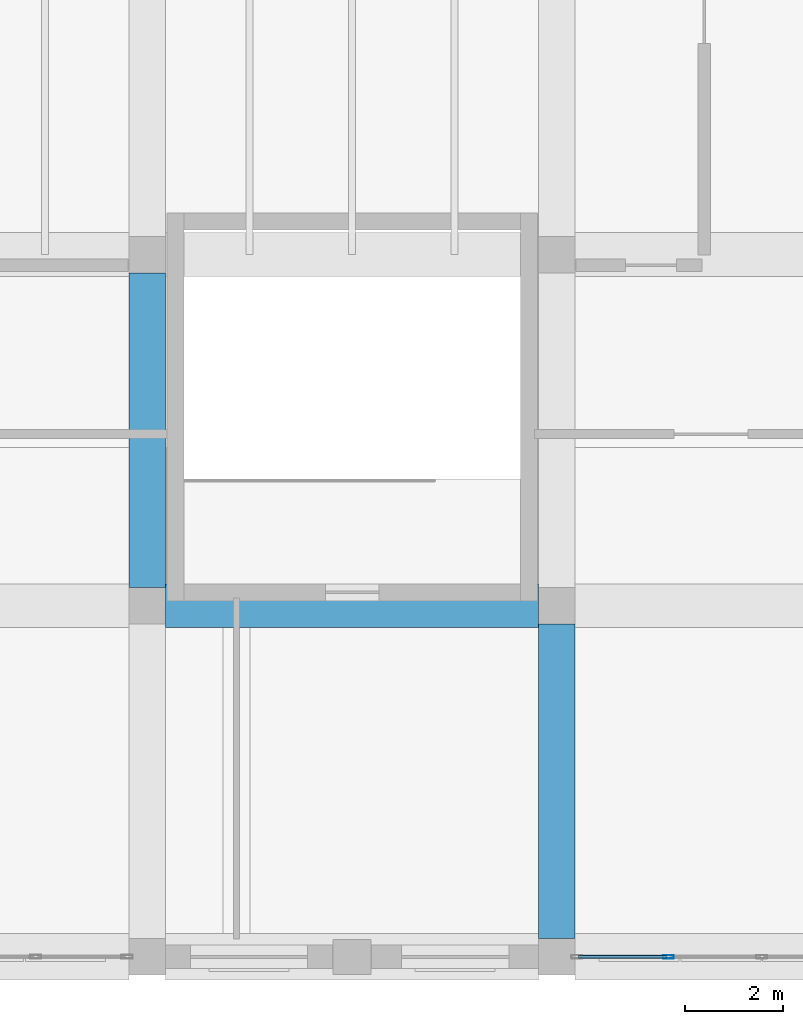
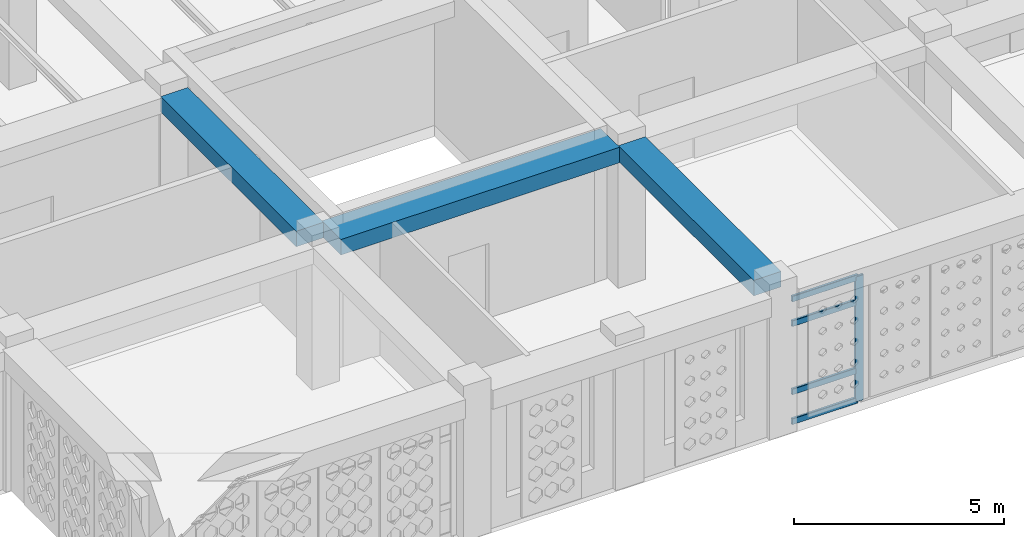
# One storey, part 22 of 111: 5 members, 3 beams, 1 element without a shape of its own.
"""IFC4 building model written with IfcOpenShell, lengths in metres."""

from ifc_helpers import new_model, si_unit, derived_unit, direction, frame, origin, origin_2d, place, context, subcontext, project, spatial, rectangle, hollow_rectangle, extrude, material, material_profile, profile_set, type_object, element, aggregate, save


model = new_model("IFC4")

# Units and contexts
model_context = context("Model", 3, precision=1e-05, world=origin(), true_north=direction((0.0, 1.0)))
body_context = subcontext(model_context, "Body", "Model", "MODEL_VIEW")
ifc_project = project(units=[si_unit("LENGTHUNIT", "METRE"), si_unit("AREAUNIT", "SQUARE_METRE"), si_unit("VOLUMEUNIT", "CUBIC_METRE"), si_unit("PLANEANGLEUNIT", "RADIAN"), si_unit("MASSUNIT", "GRAM", prefix="KILO"), derived_unit("THERMALTRANSMITTANCEUNIT", [(si_unit("POWERUNIT", "WATT"), 1), (si_unit("LENGTHUNIT", "METRE"), -2), (si_unit("THERMODYNAMICTEMPERATUREUNIT", "KELVIN"), -1)])], contexts=[model_context])

# Site, building, storey
site_placement = place(None, origin())
site = spatial("IfcSite", under=ifc_project, at=site_placement, CompositionType="ELEMENT")
building_placement = place(site_placement, origin())
building = spatial("IfcBuilding", under=site, at=building_placement, Name="Veybourne Emporium", CompositionType="ELEMENT")
storey_placement = place(building_placement, frame((0.0, 0.0, 9.89990234375)))
storey = spatial("IfcBuildingStorey", under=building, at=storey_placement, Name="L02", CompositionType="ELEMENT", Elevation=9.89990234375)

# Curtain wall, members
ifc_material_1 = material(Name="Patinated Architectural Bronze", Category="bronze")
curtain_wall_type = type_object("IfcCurtainWallType", Name="CWSystem_CWS-25", PredefinedType="NOTDEFINED", material=ifc_material_1)
curtain_wall_placement = place(storey_placement, origin())
curtain_wall = element("IfcCurtainWall", 1, at=curtain_wall_placement, inside=storey, type_object=curtain_wall_type, Name="L02 bronze glazed curtain wall CWS-25 (063)", PredefinedType="NOTDEFINED")
ifc_material_profile_1 = material_profile(ifc_material_1, hollow_rectangle(XDim=0.072021484375, YDim=0.22509765625, WallThickness=0.0048828125, InnerFilletRadius=0.007568359375, OuterFilletRadius=0.012451171875, at=origin_2d()), Name="CWM 72x225x5")
ifc_profile_set_1 = profile_set([ifc_material_profile_1], Name="Patinated Architectural Bronze")
member_type_1 = type_object("IfcMemberType", Name="CWMullion_CW-M1", PredefinedType="MULLION", material=ifc_profile_set_1)
member_1_placement = place(storey_placement, frame((111.487548828125, 0.0, 0.0), z_axis=(0.0, 0.0, 1.0), x_axis=(0.0, -1.0, 0.0)))
member_1 = element("IfcMember", 2, at=member_1_placement, type_object=member_type_1, Name="CWS-25 mullion 4", PredefinedType="MULLION", context=body_context, shape_type="SweptSolid", body=[
    extrude(hollow_rectangle(XDim=0.072021484375, YDim=0.22509765625, WallThickness=0.0048828125, InnerFilletRadius=0.007568359375, OuterFilletRadius=0.012451171875, at=origin_2d()), origin(), (0.0, 0.0, 1.0), 3.630126953125),
])
ifc_material_profile_2 = material_profile(ifc_material_1, hollow_rectangle(XDim=0.072021484375, YDim=0.175048828125, WallThickness=0.0048828125, InnerFilletRadius=0.007568359375, OuterFilletRadius=0.012451171875, at=origin_2d()), Name="CWT 72x175x5")
ifc_profile_set_2 = profile_set([ifc_material_profile_2], Name="Patinated Architectural Bronze")
member_type_2 = type_object("IfcMemberType", Name="CWTransom_CW-T1", PredefinedType="NOTDEFINED", material=ifc_profile_set_2)
member_2_placement = place(storey_placement, frame((111.451416015625, 0.0, 0.0361328125), z_axis=(-1.0, 0.0, 0.0), x_axis=(0.0, -1.0, 0.0)))
member_2 = element("IfcMember", 3, at=member_2_placement, type_object=member_type_2, Name="CWS-25 transom 4.1", ObjectType="TRANSOM", PredefinedType="USERDEFINED", context=body_context, shape_type="SweptSolid", body=[
    extrude(hollow_rectangle(XDim=0.072021484375, YDim=0.175048828125, WallThickness=0.0048828125, InnerFilletRadius=0.007568359375, OuterFilletRadius=0.012451171875, at=origin_2d()), origin(), (0.0, 0.0, 1.0), 1.804443359375),
])
member_3_placement = place(storey_placement, frame((111.451416015625, 0.0, 0.900146484375), z_axis=(-1.0, 0.0, 0.0), x_axis=(0.0, -1.0, 0.0)))
member_3 = element("IfcMember", 4, at=member_3_placement, type_object=member_type_2, Name="CWS-25 transom 4.2", ObjectType="TRANSOM", PredefinedType="USERDEFINED", context=body_context, shape_type="SweptSolid", body=[
    extrude(hollow_rectangle(XDim=0.072021484375, YDim=0.175048828125, WallThickness=0.0048828125, InnerFilletRadius=0.007568359375, OuterFilletRadius=0.012451171875, at=origin_2d()), origin(), (0.0, 0.0, 1.0), 1.804443359375),
])
member_4_placement = place(storey_placement, frame((111.451416015625, 0.0, 2.880126953125), z_axis=(-1.0, 0.0, 0.0), x_axis=(0.0, -1.0, 0.0)))
member_4 = element("IfcMember", 5, at=member_4_placement, type_object=member_type_2, Name="CWS-25 transom 4.3", ObjectType="TRANSOM", PredefinedType="USERDEFINED", context=body_context, shape_type="SweptSolid", body=[
    extrude(hollow_rectangle(XDim=0.072021484375, YDim=0.175048828125, WallThickness=0.0048828125, InnerFilletRadius=0.007568359375, OuterFilletRadius=0.012451171875, at=origin_2d()), origin(), (0.0, 0.0, 1.0), 1.804443359375),
])
member_5_placement = place(storey_placement, frame((111.451416015625, 0.0, 3.593994140625), z_axis=(-1.0, 0.0, 0.0), x_axis=(0.0, -1.0, 0.0)))
member_5 = element("IfcMember", 6, at=member_5_placement, type_object=member_type_2, Name="CWS-25 transom 4.4", ObjectType="TRANSOM", PredefinedType="USERDEFINED", context=body_context, shape_type="SweptSolid", body=[
    extrude(hollow_rectangle(XDim=0.072021484375, YDim=0.175048828125, WallThickness=0.0048828125, InnerFilletRadius=0.007568359375, OuterFilletRadius=0.012451171875, at=origin_2d()), origin(), (0.0, 0.0, 1.0), 1.804443359375),
])
aggregate(curtain_wall, [member_1, member_2, member_3, member_4, member_5])

# Beams
ifc_material_2 = material(Name="Concrete C32/40", Category="concrete")
ifc_material_profile_3 = material_profile(ifc_material_2, rectangle(XDim=0.89990234375, YDim=0.449951171875, at=origin_2d()), Name="RC 900x450")
ifc_profile_set_3 = profile_set([ifc_material_profile_3], Name="Concrete C32/40")
beam_type_1 = type_object("IfcBeamType", Name="RCBeam_BB-03", PredefinedType="BEAM", material=ifc_profile_set_3)
beam_placement = place(storey_placement, frame((101.175048828125, 7.199951171875, 3.955078125), z_axis=(1.0, 0.0, 0.0), x_axis=(0.0, 1.0, 0.0)))
element("IfcBeam", 7, at=beam_placement, inside=storey, type_object=beam_type_1, Name="L02 X-grid beam BB-03 (12,1)", PredefinedType="BEAM", context=body_context, shape_type="SweptSolid", body=[
    extrude(rectangle(XDim=0.89990234375, YDim=0.449951171875, at=origin_2d()), origin(), (0.0, 0.0, 1.0), 7.64990234375),
])
ifc_material_profile_4 = material_profile(ifc_material_2, rectangle(XDim=0.75, YDim=0.449951171875, at=origin_2d()), Name="RC 750x450")
ifc_profile_set_4 = profile_set([ifc_material_profile_4], Name="Concrete C32/40")
beam_type_2 = type_object("IfcBeamType", Name="RCBeam_BB-04", PredefinedType="BEAM", material=ifc_profile_set_4)
for number, where, z_axis, x_axis, name in (
    (8, (100.800048828125, 7.574951171875, 3.955078125), (0.0, 1.0, 0.0), (-1.0, 0.0, 0.0), "L02 Y-grid beam BB-04 (12,1)"),
    (9, (109.199951171875, 0.375, 3.955078125), (0.0, 1.0, 0.0), (-1.0, 0.0, 0.0), "L02 Y-grid beam BB-04 (13,0)"),
):
    element("IfcBeam", number, at=place(storey_placement, frame(where, z_axis=z_axis, x_axis=x_axis)), inside=storey, type_object=beam_type_2, Name=name, PredefinedType="BEAM", context=body_context, shape_type="SweptSolid", body=[
        extrude(rectangle(XDim=0.75, YDim=0.449951171875, at=origin_2d()), origin(), (0.0, 0.0, 1.0), 6.449951171875),
    ])

save(model, "model.ifc")
